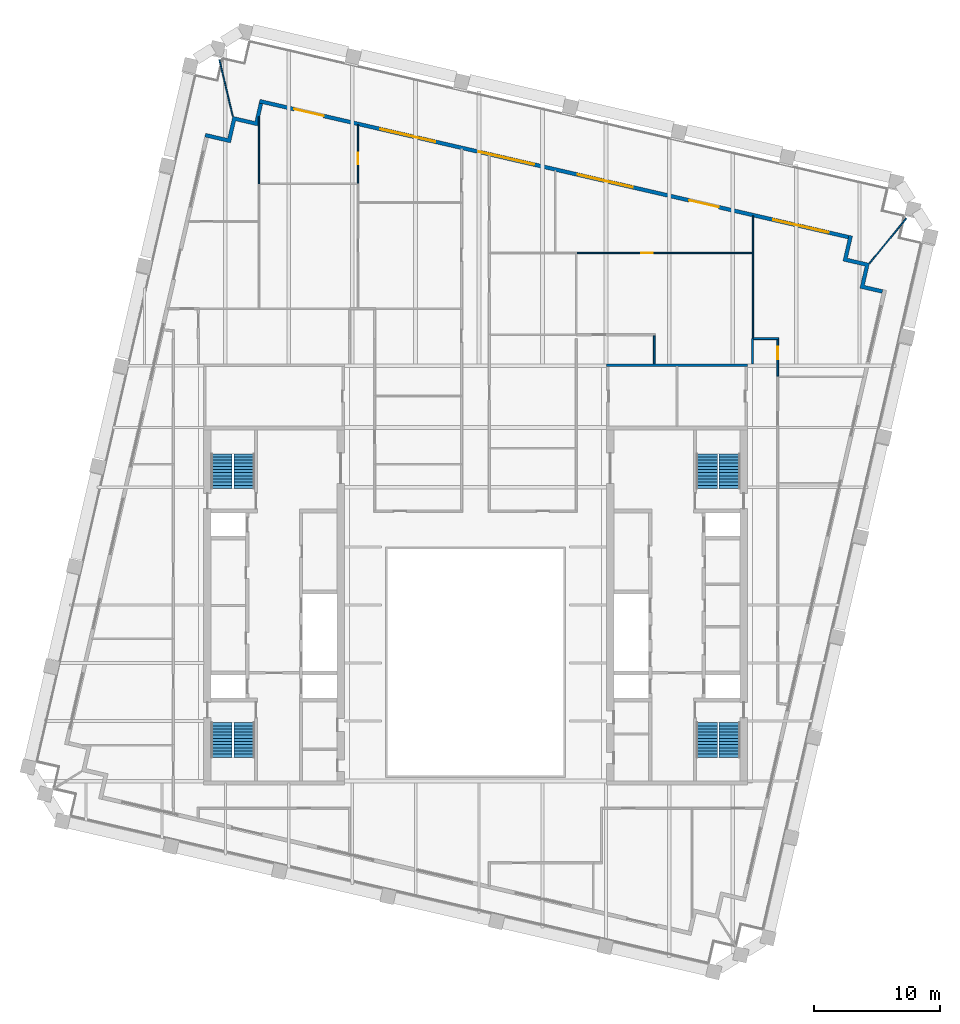
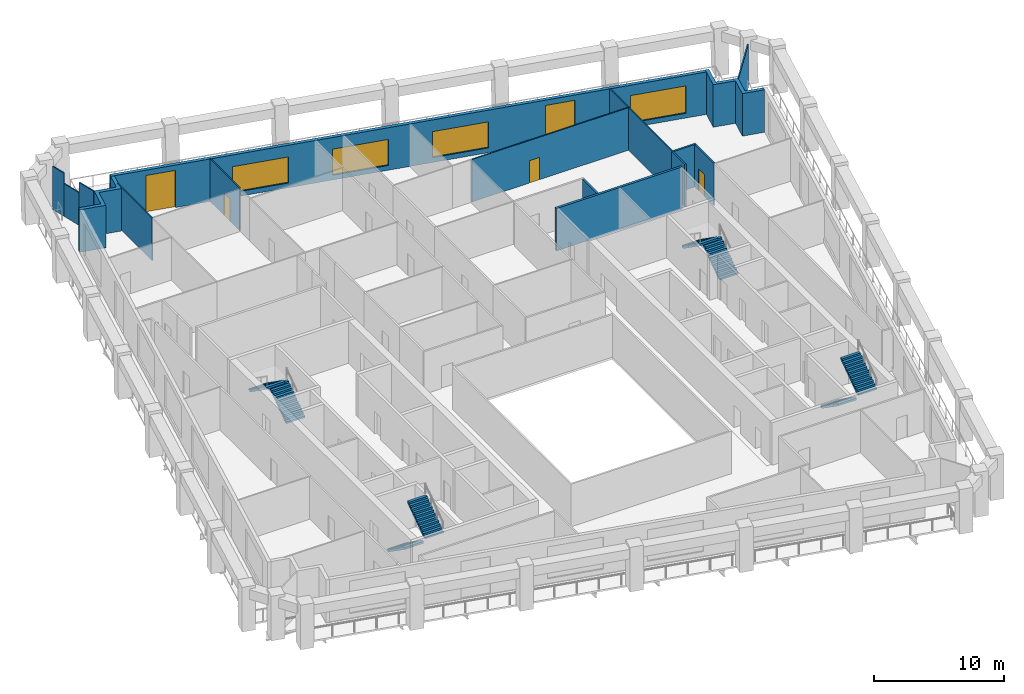
# One storey, part 9 of 10: 17 walls, 8 stair flights, 5 doors, 4 windows, 9 openings, 4 elements without a shape of their own.
"""IFC4 building model written with IfcOpenShell, lengths in metres."""

from ifc_helpers import new_model, si_unit, direction, frame, frame_2d, origin, place, context, subcontext, project, spatial, polyline, rectangle, outline, extrude, material, layer, layer_set, type_object, element, fill, aggregate, save


model = new_model("IFC4")

# Units and contexts
model_context = context("Model", 3, precision=1e-05, world=origin(), true_north=direction((0.0, 1.0)))
body_context = subcontext(model_context, "Body", "Model", "MODEL_VIEW")
ifc_project = project(units=[si_unit("LENGTHUNIT", "METRE"), si_unit("AREAUNIT", "SQUARE_METRE"), si_unit("VOLUMEUNIT", "CUBIC_METRE"), si_unit("PLANEANGLEUNIT", "RADIAN"), si_unit("MASSUNIT", "GRAM", prefix="KILO")], contexts=[model_context])

# Site, building, storey
site_placement = place(None, origin())
site = spatial("IfcSite", under=ifc_project, at=site_placement, CompositionType="ELEMENT")
building_placement = place(site_placement, origin())
building = spatial("IfcBuilding", under=site, at=building_placement, Name="Ogive Exchange Tower", CompositionType="ELEMENT")
storey_placement = place(building_placement, frame((0.0, 0.0, 264.0)))
storey = spatial("IfcBuildingStorey", under=building, at=storey_placement, Name="L57", CompositionType="ELEMENT", Elevation=264.0)

# Walls
ifc_material_1 = material(Name="Fire partition EI 60 150")
ifc_layer_1 = layer(ifc_material_1, 0.14990234375)
ifc_layer_set_1 = layer_set([ifc_layer_1], Name="Fire partition EI 60 150")
wall_type_1 = type_object("IfcWallType", Name="Fire partition EI 60 150", PredefinedType="PARTITIONING", material=ifc_layer_set_1)
wall_1_placement = place(storey_placement, frame((14.18994140625, 32.925048828125, 0.0), z_axis=(0.0, 0.0, 1.0), x_axis=(0.0, -1.0, 0.0)))
element("IfcWall", 1, at=wall_1_placement, inside=storey, type_object=wall_type_1, Name="L57-PWL-064", PredefinedType="PARTITIONING", context=body_context, shape_type="SweptSolid", body=[
    extrude(rectangle(XDim=2.22509765625, YDim=0.14990234375, at=frame_2d((1.112548828125, 0.0))), origin(), (0.0, 0.0, 1.0), 4.0),
])
wall_2_placement = place(storey_placement, frame((22.0, 30.699951171875, 0.0), z_axis=(0.0, 0.0, 1.0), x_axis=(0.0, 1.0, 0.0)))
element("IfcWall", 2, at=wall_2_placement, inside=storey, type_object=wall_type_1, Name="L57-PWL-067", PredefinedType="PARTITIONING", context=body_context, shape_type="SweptSolid", body=[
    extrude(rectangle(XDim=2.0, YDim=0.14990234375, at=frame_2d((1.0, 0.0))), origin(), (0.0, 0.0, 1.0), 4.0),
])
wall_3_placement = place(storey_placement, frame((21.97998046875, 32.699951171875, 0.0), z_axis=(0.0, 0.0, 1.0), x_axis=(1.0, 0.0, 0.0)))
element("IfcWall", 3, at=wall_3_placement, inside=storey, type_object=wall_type_1, Name="L57-PWL-068", PredefinedType="PARTITIONING", context=body_context, shape_type="SweptSolid", body=[
    extrude(rectangle(XDim=2.094970703125, YDim=0.14990234375, at=frame_2d((1.04736328125, 0.0))), origin(), (0.0, 0.0, 1.0), 4.0),
])

# Wall, opening, door
wall_4_placement = place(storey_placement, frame((24.0, 32.625, 0.0), z_axis=(0.0, 0.0, 1.0), x_axis=(0.0, -1.0, 0.0)))
wall_4 = element("IfcWall", 4, at=wall_4_placement, inside=storey, type_object=wall_type_1, Name="L57-PWL-078", PredefinedType="PARTITIONING", context=body_context, shape_type="SweptSolid", body=[
    extrude(rectangle(XDim=2.9150390625, YDim=0.14990234375, at=frame_2d((1.45751953125, 0.0))), origin(), (0.0, 0.0, 1.0), 4.0),
])
opening_1_placement = place(wall_4_placement, frame((0.56494140625, 0.0, 0.0)))
opening_1 = element("IfcOpeningElement", 5, at=opening_1_placement, cuts=wall_4, Name="Opening L57-I24", PredefinedType="OPENING", context=body_context, shape_type="SweptSolid", body=[
    extrude(rectangle(XDim=1.0, YDim=2.10009765625, at=frame_2d((0.5, 1.050048828125))), frame((0.0, 0.0849609375, 0.0), z_axis=(0.0, -1.0, 0.0), x_axis=(1.0, 0.0, 0.0)), (0.0, 0.0, 1.0), 0.169921875),
])
ifc_material_2 = material(Name="Fire door FD 30S 1000 x 2100")
door_type_1 = type_object("IfcDoorType", Name="Fire door FD 30S 1000 x 2100", OperationType="NOTDEFINED", PredefinedType="DOOR", material=ifc_material_2)
door_1_placement = place(opening_1_placement, origin())
door_1 = element("IfcDoor", 6, at=door_1_placement, inside=storey, type_object=door_type_1, Name="L57-IDR-024", ObjectType="DT3", OperationType="SINGLE_SWING_LEFT", OverallHeight=2.10009765625, OverallWidth=1.0, PredefinedType="DOOR", context=body_context, shape_type="SweptSolid", body=[
    extrude(rectangle(XDim=1.0, YDim=2.10009765625, at=frame_2d((0.5, 1.050048828125))), frame((0.0, 0.02490234375, 0.0), z_axis=(0.0, -1.0, 0.0), x_axis=(1.0, 0.0, 0.0)), (0.0, 0.0, 1.0), 0.050048828125),
])
fill(opening_1, door_1)

# Wall, openings, doors, windows
ifc_material_3 = material(Name="Precast concrete C40/50", Category="concrete")
ifc_layer_2 = layer(ifc_material_3, 0.300048828125)
ifc_layer_set_2 = layer_set([ifc_layer_2], Name="Limestone-faced wall 300")
wall_type_2 = type_object("IfcWallType", Name="Limestone-faced wall 300", PredefinedType="STANDARD", material=ifc_layer_set_2)
wall_5_placement = place(storey_placement, frame((29.6162109375, 40.75830078125, 0.0), z_axis=(0.0, 0.0, 1.0), x_axis=(-0.974370532314, 0.224949029246, 0.0)))
wall_5 = element("IfcWall", 7, at=wall_5_placement, inside=storey, type_object=wall_type_2, Name="External wall N3", PredefinedType="STANDARD", context=body_context, shape_type="SweptSolid", body=[
    extrude(rectangle(XDim=48.000244140625, YDim=0.300048828125, at=frame_2d((24.0, 0.0))), origin(), (0.0, 0.0, 1.0), 4.0),
])
opening_2_placement = place(wall_5_placement, frame((1.625, 0.0, 0.449951171875)))
opening_2 = element("IfcOpeningElement", 8, at=opening_2_placement, cuts=wall_5, Name="Opening W1M", PredefinedType="OPENING", context=body_context, shape_type="SweptSolid", body=[
    extrude(rectangle(XDim=4.5, YDim=2.574951171875, at=frame_2d((2.25, 1.28759765625))), frame((0.0, 0.159912109375, 0.0), z_axis=(0.0, -1.0, 0.0), x_axis=(1.0, 0.0, 0.0)), (0.0, 0.0, 1.0), 0.320068359375),
])
opening_3_placement = place(wall_5_placement, frame((10.574951171875, 0.0, 0.0)))
opening_3 = element("IfcOpeningElement", 9, at=opening_3_placement, cuts=wall_5, Name="Opening D1", PredefinedType="OPENING", context=body_context, shape_type="SweptSolid", body=[
    extrude(rectangle(XDim=2.39990234375, YDim=3.5, at=frame_2d((1.199951171875, 1.75))), frame((0.0, 0.159912109375, 0.0), z_axis=(0.0, -1.0, 0.0), x_axis=(1.0, 0.0, 0.0)), (0.0, 0.0, 1.0), 0.320068359375),
])
opening_4_placement = place(wall_5_placement, frame((17.574951171875, 0.0, 0.449951171875)))
opening_4 = element("IfcOpeningElement", 10, at=opening_4_placement, cuts=wall_5, Name="Opening W1Q", PredefinedType="OPENING", context=body_context, shape_type="SweptSolid", body=[
    extrude(rectangle(XDim=4.5, YDim=2.449951171875, at=frame_2d((2.25, 1.22509765625))), frame((0.0, 0.159912109375, 0.0), z_axis=(0.0, -1.0, 0.0), x_axis=(1.0, 0.0, 0.0)), (0.0, 0.0, 1.0), 0.320068359375),
])
opening_5_placement = place(wall_5_placement, frame((25.625, 0.0, 0.449951171875)))
opening_5 = element("IfcOpeningElement", 11, at=opening_5_placement, cuts=wall_5, Name="Opening W1Q", PredefinedType="OPENING", context=body_context, shape_type="SweptSolid", body=[
    extrude(rectangle(XDim=4.5, YDim=2.449951171875, at=frame_2d((2.25, 1.22509765625))), frame((0.0, 0.159912109375, 0.0), z_axis=(0.0, -1.0, 0.0), x_axis=(1.0, 0.0, 0.0)), (0.0, 0.0, 1.0), 0.320068359375),
])
opening_6_placement = place(wall_5_placement, frame((33.675048828125, 0.0, 0.449951171875)))
opening_6 = element("IfcOpeningElement", 12, at=opening_6_placement, cuts=wall_5, Name="Opening W1Q", PredefinedType="OPENING", context=body_context, shape_type="SweptSolid", body=[
    extrude(rectangle(XDim=4.5, YDim=2.449951171875, at=frame_2d((2.25, 1.22509765625))), frame((0.0, 0.159912109375, 0.0), z_axis=(0.0, -1.0, 0.0), x_axis=(1.0, 0.0, 0.0)), (0.0, 0.0, 1.0), 0.320068359375),
])
opening_7_placement = place(wall_5_placement, frame((42.77490234375, 0.0, 0.0)))
opening_7 = element("IfcOpeningElement", 13, at=opening_7_placement, cuts=wall_5, Name="Opening D1", PredefinedType="OPENING", context=body_context, shape_type="SweptSolid", body=[
    extrude(rectangle(XDim=2.39990234375, YDim=3.5, at=frame_2d((1.199951171875, 1.75))), frame((0.0, 0.159912109375, 0.0), z_axis=(0.0, -1.0, 0.0), x_axis=(1.0, 0.0, 0.0)), (0.0, 0.0, 1.0), 0.320068359375),
])
ifc_material_4 = material(Name="Clear glass in bronze frame", Category="glass")
door_type_2 = type_object("IfcDoorType", Name="Sliding loggia door 2400 x 3500", OperationType="DOUBLE_DOOR_SLIDING", PredefinedType="DOOR", material=ifc_material_4)
door_2_placement = place(opening_3_placement, origin())
door_2 = element("IfcDoor", 14, at=door_2_placement, inside=storey, type_object=door_type_2, Name="Loggia door N01", OperationType="DOUBLE_DOOR_SLIDING", OverallHeight=3.5, OverallWidth=2.39990234375, PredefinedType="DOOR", context=body_context, shape_type="SweptSolid", body=[
    extrude(rectangle(XDim=2.39990234375, YDim=3.5, at=frame_2d((1.199951171875, 1.75))), frame((0.0, 0.02490234375, 0.0), z_axis=(0.0, -1.0, 0.0), x_axis=(1.0, 0.0, 0.0)), (0.0, 0.0, 1.0), 0.050048828125),
])
fill(opening_3, door_2)
door_3_placement = place(opening_7_placement, origin())
door_3 = element("IfcDoor", 15, at=door_3_placement, inside=storey, type_object=door_type_2, Name="Loggia door N05", OperationType="DOUBLE_DOOR_SLIDING", OverallHeight=3.5, OverallWidth=2.39990234375, PredefinedType="DOOR", context=body_context, shape_type="SweptSolid", body=[
    extrude(rectangle(XDim=2.39990234375, YDim=3.5, at=frame_2d((1.199951171875, 1.75))), frame((0.0, 0.02490234375, 0.0), z_axis=(0.0, -1.0, 0.0), x_axis=(1.0, 0.0, 0.0)), (0.0, 0.0, 1.0), 0.050048828125),
])
fill(opening_7, door_3)
window_type_1 = type_object("IfcWindowType", Name="Twin lancet window 4500 x 2450", PartitioningType="DOUBLE_PANEL_VERTICAL", PredefinedType="WINDOW", material=ifc_material_4)
window_1_placement = place(opening_4_placement, origin())
window_1 = element("IfcWindow", 16, at=window_1_placement, inside=storey, type_object=window_type_1, Name="Window N02", OverallHeight=2.449951171875, OverallWidth=4.5, PartitioningType="DOUBLE_PANEL_VERTICAL", PredefinedType="WINDOW", context=body_context, shape_type="SweptSolid", body=[
    extrude(rectangle(XDim=4.5, YDim=2.449951171875, at=frame_2d((2.25, 1.22509765625))), frame((0.0, 0.030029296875, 0.0), z_axis=(0.0, -1.0, 0.0), x_axis=(1.0, 0.0, 0.0)), (0.0, 0.0, 1.0), 0.06005859375),
])
fill(opening_4, window_1)
window_2_placement = place(opening_5_placement, origin())
window_2 = element("IfcWindow", 17, at=window_2_placement, inside=storey, type_object=window_type_1, Name="Window N03", OverallHeight=2.449951171875, OverallWidth=4.5, PartitioningType="DOUBLE_PANEL_VERTICAL", PredefinedType="WINDOW", context=body_context, shape_type="SweptSolid", body=[
    extrude(rectangle(XDim=4.5, YDim=2.449951171875, at=frame_2d((2.25, 1.22509765625))), frame((0.0, 0.030029296875, 0.0), z_axis=(0.0, -1.0, 0.0), x_axis=(1.0, 0.0, 0.0)), (0.0, 0.0, 1.0), 0.06005859375),
])
fill(opening_5, window_2)
window_3_placement = place(opening_6_placement, origin())
window_3 = element("IfcWindow", 18, at=window_3_placement, inside=storey, type_object=window_type_1, Name="Window N04", OverallHeight=2.449951171875, OverallWidth=4.5, PartitioningType="DOUBLE_PANEL_VERTICAL", PredefinedType="WINDOW", context=body_context, shape_type="SweptSolid", body=[
    extrude(rectangle(XDim=4.5, YDim=2.449951171875, at=frame_2d((2.25, 1.22509765625))), frame((0.0, 0.030029296875, 0.0), z_axis=(0.0, -1.0, 0.0), x_axis=(1.0, 0.0, 0.0)), (0.0, 0.0, 1.0), 0.06005859375),
])
fill(opening_6, window_3)
window_type_2 = type_object("IfcWindowType", Name="Twin lancet window 4500 x 2575", PartitioningType="DOUBLE_PANEL_VERTICAL", PredefinedType="WINDOW", material=ifc_material_4)
window_4_placement = place(opening_2_placement, origin())
window_4 = element("IfcWindow", 19, at=window_4_placement, inside=storey, type_object=window_type_2, Name="Window N00", OverallHeight=2.574951171875, OverallWidth=4.5, PartitioningType="DOUBLE_PANEL_VERTICAL", PredefinedType="WINDOW", context=body_context, shape_type="SweptSolid", body=[
    extrude(rectangle(XDim=4.5, YDim=2.574951171875, at=frame_2d((2.25, 1.28759765625))), frame((0.0, 0.030029296875, 0.0), z_axis=(0.0, -1.0, 0.0), x_axis=(1.0, 0.0, 0.0)), (0.0, 0.0, 1.0), 0.06005859375),
])
fill(opening_2, window_4)

# Walls
wall_6_placement = place(storey_placement, origin())
element("IfcWall", 20, at=wall_6_placement, inside=storey, type_object=wall_type_2, Name="External corner wall C2", PredefinedType="STANDARD", context=body_context, shape_type="SweptSolid", body=[
    extrude(outline(polyline([(30.931396484375, 38.453369140625), (29.177490234375, 38.8583984375), (29.64990234375, 40.904541015625), (29.942138671875, 40.8369140625), (29.537109375, 39.0830078125), (31.291015625, 38.67822265625), (30.88623046875, 36.92431640625), (32.34765625, 36.5869140625), (32.2802734375, 36.294677734375), (30.5263671875, 36.699462890625), (30.931396484375, 38.453369140625)])), origin(), (0.0, 0.0, 1.0), 4.0),
])
wall_7_placement = place(storey_placement, origin())
element("IfcWall", 21, at=wall_7_placement, inside=storey, type_object=wall_type_2, Name="External corner wall C3", PredefinedType="STANDARD", context=body_context, shape_type="SweptSolid", body=[
    extrude(outline(polyline([(-21.5048828125, 48.7119140625), (-21.4375, 49.004150390625), (-19.68359375, 48.599365234375), (-19.27880859375, 50.353271484375), (-17.52490234375, 49.9482421875), (-17.1875, 51.409912109375), (-16.89501953125, 51.34228515625), (-17.300048828125, 49.58837890625), (-19.053955078125, 49.993408203125), (-19.458740234375, 48.239501953125), (-21.5048828125, 48.7119140625)])), origin(), (0.0, 0.0, 1.0), 4.0),
])
ifc_material_5 = material(Name="Laminated safety glass in steel frame", Category="steel")
ifc_layer_3 = layer(ifc_material_5, 0.10009765625)
ifc_layer_set_3 = layer_set([ifc_layer_3], Name="Loggia end screen 100")
wall_type_3 = type_object("IfcWallType", Name="Loggia end screen 100", PredefinedType="STANDARD", material=ifc_layer_set_3)
wall_8_placement = place(storey_placement, frame((31.291015625, 38.67822265625, -0.050048828125), z_axis=(0.0, 0.0, 1.0), x_axis=(0.633488235222, 0.773752322023, 0.0)))
element("IfcWall", 22, at=wall_8_placement, inside=storey, type_object=wall_type_3, Name="Loggia end screen C2", PredefinedType="STANDARD", context=body_context, shape_type="SweptSolid", body=[
    extrude(rectangle(XDim=4.61767578125, YDim=0.10009765625, at=frame_2d((2.308837890625, 0.0))), origin(), (0.0, 0.0, 1.0), 4.050048828125),
])
wall_9_placement = place(storey_placement, frame((-19.27880859375, 50.353271484375, -0.050048828125), z_axis=(0.0, 0.0, 1.0), x_axis=(-0.230061703828, 0.973176043906, 0.0)))
element("IfcWall", 23, at=wall_9_placement, inside=storey, type_object=wall_type_3, Name="Loggia end screen C3", PredefinedType="STANDARD", context=body_context, shape_type="SweptSolid", body=[
    extrude(rectangle(XDim=1.62353515625, YDim=0.10009765625, at=frame_2d((0.811767578125, 0.0))), origin(), (0.0, 0.0, 1.0), 4.050048828125),
])
wall_10_placement = place(storey_placement, frame((-19.65234375, 51.933349609375, -0.050048828125), z_axis=(0.0, 0.0, 1.0), x_axis=(-0.230237317932, 0.973134511479, 0.0)))
element("IfcWall", 24, at=wall_10_placement, inside=storey, type_object=wall_type_3, Name="Loggia end screen C3", PredefinedType="STANDARD", context=body_context, shape_type="SweptSolid", body=[
    extrude(rectangle(XDim=1.726318359375, YDim=0.10009765625, at=frame_2d((0.86328125, 0.0))), origin(), (0.0, 0.0, 1.0), 3.070068359375),
])
wall_11_placement = place(storey_placement, frame((-20.0498046875, 53.61328125, -0.050048828125), z_axis=(0.0, 0.0, 1.0), x_axis=(-0.230187982616, 0.973146182574, 0.0)))
element("IfcWall", 25, at=wall_11_placement, inside=storey, type_object=wall_type_3, Name="Loggia end screen C3", PredefinedType="STANDARD", context=body_context, shape_type="SweptSolid", body=[
    extrude(rectangle(XDim=1.267333984375, YDim=0.10009765625, at=frame_2d((0.6337890625, 0.0))), origin(), (0.0, 0.0, 1.0), 4.050048828125),
])
ifc_material_6 = material(Name="Partition 100 gypsum")
ifc_layer_4 = layer(ifc_material_6, 0.10009765625)
ifc_layer_set_4 = layer_set([ifc_layer_4], Name="Partition 100 gypsum")
wall_type_4 = type_object("IfcWallType", Name="Partition 100 gypsum", PredefinedType="PARTITIONING", material=ifc_layer_set_4)
wall_12_placement = place(storey_placement, frame((-17.18994140625, 44.949951171875, 0.0), z_axis=(0.0, 0.0, 1.0), x_axis=(0.0, 1.0, 0.0)))
element("IfcWall", 26, at=wall_12_placement, inside=storey, type_object=wall_type_4, Name="L57-PWL-020", PredefinedType="PARTITIONING", context=body_context, shape_type="SweptSolid", body=[
    extrude(rectangle(XDim=5.360107421875, YDim=0.10009765625, at=frame_2d((2.68017578125, 0.0))), origin(), (0.0, 0.0, 1.0), 4.0),
])

# Wall, opening, door
wall_13_placement = place(storey_placement, frame((-9.340087890625, 45.050048828125, 0.0), z_axis=(0.0, 0.0, 1.0), x_axis=(0.0, 1.0, 0.0)))
wall_13 = element("IfcWall", 27, at=wall_13_placement, inside=storey, type_object=wall_type_4, Name="L57-PWL-031", PredefinedType="PARTITIONING", context=body_context, shape_type="SweptSolid", body=[
    extrude(rectangle(XDim=4.630859375, YDim=0.10009765625, at=frame_2d((2.3154296875, 0.0))), origin(), (0.0, 0.0, 1.0), 4.0),
])
opening_8_placement = place(wall_13_placement, frame((1.5, 0.0, 0.0)))
opening_8 = element("IfcOpeningElement", 28, at=opening_8_placement, cuts=wall_13, Name="Opening L57-I10", PredefinedType="OPENING", context=body_context, shape_type="SweptSolid", body=[
    extrude(rectangle(XDim=0.89990234375, YDim=2.10009765625, at=frame_2d((0.449951171875, 1.050048828125))), frame((0.0, 0.06005859375, 0.0), z_axis=(0.0, -1.0, 0.0), x_axis=(1.0, 0.0, 0.0)), (0.0, 0.0, 1.0), 0.1201171875),
])
ifc_material_7 = material(Name="Door 900 x 2100")
door_type_3 = type_object("IfcDoorType", Name="Door 900 x 2100", OperationType="NOTDEFINED", PredefinedType="DOOR", material=ifc_material_7)
door_4_placement = place(opening_8_placement, frame((0.89990234375, 0.0, 0.0), z_axis=(0.0, 0.0, 1.0), x_axis=(-1.0, 0.0, 0.0)))
door_4 = element("IfcDoor", 29, at=door_4_placement, inside=storey, type_object=door_type_3, Name="L57-IDR-010", ObjectType="DT1", OperationType="SINGLE_SWING_RIGHT", OverallHeight=2.10009765625, OverallWidth=0.89990234375, PredefinedType="DOOR", context=body_context, shape_type="SweptSolid", body=[
    extrude(rectangle(XDim=0.89990234375, YDim=2.10009765625, at=frame_2d((0.449951171875, 1.050048828125))), frame((0.0, 0.02490234375, 0.0), z_axis=(0.0, -1.0, 0.0), x_axis=(1.0, 0.0, 0.0)), (0.0, 0.0, 1.0), 0.050048828125),
])
fill(opening_8, door_4)

wall_14_placement = place(storey_placement, frame((22.080078125, 39.5, 0.0), z_axis=(0.0, 0.0, 1.0), x_axis=(-1.0, 0.0, 0.0)))
wall_14 = element("IfcWall", 30, at=wall_14_placement, inside=storey, type_object=wall_type_4, Name="L57-PWL-069", PredefinedType="PARTITIONING", context=body_context, shape_type="SweptSolid", body=[
    extrude(rectangle(XDim=14.030029296875, YDim=0.10009765625, at=frame_2d((7.01513671875, 0.0))), origin(), (0.0, 0.0, 1.0), 4.0),
])
opening_9_placement = place(wall_14_placement, frame((8.0, 0.0, 0.0)))
opening_9 = element("IfcOpeningElement", 31, at=opening_9_placement, cuts=wall_14, Name="Opening L57-I16", PredefinedType="OPENING", context=body_context, shape_type="SweptSolid", body=[
    extrude(rectangle(XDim=0.89990234375, YDim=2.10009765625, at=frame_2d((0.449951171875, 1.050048828125))), frame((0.0, 0.06005859375, 0.0), z_axis=(0.0, -1.0, 0.0), x_axis=(1.0, 0.0, 0.0)), (0.0, 0.0, 1.0), 0.1201171875),
])
door_5_placement = place(opening_9_placement, frame((0.89990234375, 0.0, 0.0), z_axis=(0.0, 0.0, 1.0), x_axis=(-1.0, 0.0, 0.0)))
door_5 = element("IfcDoor", 32, at=door_5_placement, inside=storey, type_object=door_type_3, Name="L57-IDR-016", ObjectType="DT1", OperationType="SINGLE_SWING_LEFT", OverallHeight=2.10009765625, OverallWidth=0.89990234375, PredefinedType="DOOR", context=body_context, shape_type="SweptSolid", body=[
    extrude(rectangle(XDim=0.89990234375, YDim=2.10009765625, at=frame_2d((0.449951171875, 1.050048828125))), frame((0.0, 0.02490234375, 0.0), z_axis=(0.0, -1.0, 0.0), x_axis=(1.0, 0.0, 0.0)), (0.0, 0.0, 1.0), 0.050048828125),
])
fill(opening_9, door_5)

# Walls
wall_15_placement = place(storey_placement, frame((22.030029296875, 39.449951171875, 0.0), z_axis=(0.0, 0.0, 1.0), x_axis=(0.0, -1.0, 0.0)))
element("IfcWall", 33, at=wall_15_placement, inside=storey, type_object=wall_type_4, Name="L57-PWL-070", PredefinedType="PARTITIONING", context=body_context, shape_type="SweptSolid", body=[
    extrude(rectangle(XDim=6.675048828125, YDim=0.10009765625, at=frame_2d((3.33740234375, 0.0))), origin(), (0.0, 0.0, 1.0), 4.0),
])
wall_16_placement = place(storey_placement, frame((22.030029296875, 42.43798828125, 0.0), z_axis=(0.0, 0.0, 1.0), x_axis=(0.0, -1.0, 0.0)))
element("IfcWall", 34, at=wall_16_placement, inside=storey, type_object=wall_type_4, Name="L57-PWL-071", PredefinedType="PARTITIONING", context=body_context, shape_type="SweptSolid", body=[
    extrude(rectangle(XDim=2.887939453125, YDim=0.10009765625, at=frame_2d((1.44384765625, 0.0))), origin(), (0.0, 0.0, 1.0), 4.0),
])
ifc_material_8 = material(Name="Concrete C70/85", Category="concrete")
ifc_layer_5 = layer(ifc_material_8, 0.199951171875)
ifc_layer_set_5 = layer_set([ifc_layer_5], Name="RC core wall 200 C70/85")
wall_type_5 = type_object("IfcWallType", Name="RC core wall 200 C70/85", PredefinedType="SHEAR", material=ifc_layer_set_5)
wall_17_placement = place(storey_placement, frame((10.39990234375, 30.60009765625, 0.0), z_axis=(0.0, 0.0, 1.0), x_axis=(1.0, 0.0, 0.0)))
element("IfcWall", 35, at=wall_17_placement, inside=storey, type_object=wall_type_5, Name="E annex N end wall", PredefinedType="SHEAR", context=body_context, shape_type="SweptSolid", body=[
    extrude(rectangle(XDim=11.2001953125, YDim=0.199951171875, at=frame_2d((5.60009765625, 0.0))), origin(), (0.0, 0.0, 1.0), 4.0),
])

# Stair, stair flights
ifc_material_9 = material(Name="Concrete C40/50", Category="concrete")
stair_type = type_object("IfcStairType", Name="Exit stair 1650 wide", PredefinedType="HALF_TURN_STAIR", material=ifc_material_9)
stair_1_placement = place(storey_placement, origin())
stair_1 = element("IfcStair", 36, at=stair_1_placement, inside=storey, type_object=stair_type, Name="L57 exit stair ST1", PredefinedType="HALF_TURN_STAIR")
stair_flight_type = type_object("IfcStairFlightType", Name="Stair flight 1650 wide", PredefinedType="STRAIGHT", material=ifc_material_9)
stair_flight_1_placement = place(storey_placement, frame((-20.175048828125, 2.199951171875, 0.0), z_axis=(0.0, 0.0, 1.0), x_axis=(0.0, -1.0, 0.0)))
stair_flight_1 = element("IfcStairFlight", 37, at=stair_flight_1_placement, type_object=stair_flight_type, Name="ST1 flight 1", NumberOfRisers=12, NumberOfTreads=11, PredefinedType="STRAIGHT", RiserHeight=0.175, TreadLength=0.25, context=body_context, shape_type="SweptSolid", body=[
    extrude(outline(polyline([(0.0, 0.0), (0.0, 0.175048828125), (0.25, 0.175048828125), (0.25, 0.35009765625), (0.5, 0.35009765625), (0.5, 0.52490234375), (0.75, 0.52490234375), (0.75, 0.699951171875), (1.0, 0.699951171875), (1.0, 0.875), (1.25, 0.875), (1.25, 1.050048828125), (1.5, 1.050048828125), (1.5, 1.22509765625), (1.75, 1.22509765625), (1.75, 1.39990234375), (2.0, 1.39990234375), (2.0, 1.574951171875), (2.25, 1.574951171875), (2.25, 1.75), (2.5, 1.75), (2.5, 1.925048828125), (2.75, 1.925048828125), (2.75, 2.10009765625), (2.75, 1.741943359375), (0.261474609375, 0.0), (0.0, 0.0)])), frame((0.0, 0.824951171875, 0.0), z_axis=(0.0, -1.0, 0.0), x_axis=(1.0, 0.0, 0.0)), (0.0, 0.0, 1.0), 1.64990234375),
])
stair_flight_2_placement = place(storey_placement, frame((-18.375, -0.550048828125, 2.10009765625), z_axis=(0.0, 0.0, 1.0), x_axis=(0.0, 1.0, 0.0)))
stair_flight_2 = element("IfcStairFlight", 38, at=stair_flight_2_placement, type_object=stair_flight_type, Name="ST1 flight 2", NumberOfRisers=12, NumberOfTreads=11, PredefinedType="STRAIGHT", RiserHeight=0.175, TreadLength=0.25, context=body_context, shape_type="SweptSolid", body=[
    extrude(outline(polyline([(0.0, 0.0), (0.0, 0.175048828125), (0.25, 0.175048828125), (0.25, 0.35009765625), (0.5, 0.35009765625), (0.5, 0.52490234375), (0.75, 0.52490234375), (0.75, 0.699951171875), (1.0, 0.699951171875), (1.0, 0.875), (1.25, 0.875), (1.25, 1.050048828125), (1.5, 1.050048828125), (1.5, 1.22509765625), (1.75, 1.22509765625), (1.75, 1.39990234375), (2.0, 1.39990234375), (2.0, 1.574951171875), (2.25, 1.574951171875), (2.25, 1.75), (2.5, 1.75), (2.5, 1.925048828125), (2.75, 1.925048828125), (2.75, 2.10009765625), (2.75, 1.741943359375), (0.261474609375, 0.0), (0.0, 0.0)])), frame((0.0, 0.824951171875, 0.0), z_axis=(0.0, -1.0, 0.0), x_axis=(1.0, 0.0, 0.0)), (0.0, 0.0, 1.0), 1.64990234375),
])
aggregate(stair_1, [stair_flight_1, stair_flight_2])

stair_2_placement = place(storey_placement, origin())
stair_2 = element("IfcStair", 39, at=stair_2_placement, inside=storey, type_object=stair_type, Name="L57 exit stair ST2", PredefinedType="HALF_TURN_STAIR")
stair_flight_3_placement = place(storey_placement, frame((-18.375, 20.800048828125, 0.0), z_axis=(0.0, 0.0, 1.0), x_axis=(0.0, 1.0, 0.0)))
stair_flight_3 = element("IfcStairFlight", 40, at=stair_flight_3_placement, type_object=stair_flight_type, Name="ST2 flight 1", NumberOfRisers=12, NumberOfTreads=11, PredefinedType="STRAIGHT", RiserHeight=0.175, TreadLength=0.25, context=body_context, shape_type="SweptSolid", body=[
    extrude(outline(polyline([(0.0, 0.0), (0.0, 0.175048828125), (0.25, 0.175048828125), (0.25, 0.35009765625), (0.5, 0.35009765625), (0.5, 0.52490234375), (0.75, 0.52490234375), (0.75, 0.699951171875), (1.0, 0.699951171875), (1.0, 0.875), (1.25, 0.875), (1.25, 1.050048828125), (1.5, 1.050048828125), (1.5, 1.22509765625), (1.75, 1.22509765625), (1.75, 1.39990234375), (2.0, 1.39990234375), (2.0, 1.574951171875), (2.25, 1.574951171875), (2.25, 1.75), (2.5, 1.75), (2.5, 1.925048828125), (2.75, 1.925048828125), (2.75, 2.10009765625), (2.75, 1.741943359375), (0.261474609375, 0.0), (0.0, 0.0)])), frame((0.0, 0.824951171875, 0.0), z_axis=(0.0, -1.0, 0.0), x_axis=(1.0, 0.0, 0.0)), (0.0, 0.0, 1.0), 1.64990234375),
])
stair_flight_4_placement = place(storey_placement, frame((-20.175048828125, 23.550048828125, 2.10009765625), z_axis=(0.0, 0.0, 1.0), x_axis=(0.0, -1.0, 0.0)))
stair_flight_4 = element("IfcStairFlight", 41, at=stair_flight_4_placement, type_object=stair_flight_type, Name="ST2 flight 2", NumberOfRisers=12, NumberOfTreads=11, PredefinedType="STRAIGHT", RiserHeight=0.175, TreadLength=0.25, context=body_context, shape_type="SweptSolid", body=[
    extrude(outline(polyline([(0.0, 0.0), (0.0, 0.175048828125), (0.25, 0.175048828125), (0.25, 0.35009765625), (0.5, 0.35009765625), (0.5, 0.52490234375), (0.75, 0.52490234375), (0.75, 0.699951171875), (1.0, 0.699951171875), (1.0, 0.875), (1.25, 0.875), (1.25, 1.050048828125), (1.5, 1.050048828125), (1.5, 1.22509765625), (1.75, 1.22509765625), (1.75, 1.39990234375), (2.0, 1.39990234375), (2.0, 1.574951171875), (2.25, 1.574951171875), (2.25, 1.75), (2.5, 1.75), (2.5, 1.925048828125), (2.75, 1.925048828125), (2.75, 2.10009765625), (2.75, 1.741943359375), (0.261474609375, 0.0), (0.0, 0.0)])), frame((0.0, 0.824951171875, 0.0), z_axis=(0.0, -1.0, 0.0), x_axis=(1.0, 0.0, 0.0)), (0.0, 0.0, 1.0), 1.64990234375),
])
aggregate(stair_2, [stair_flight_3, stair_flight_4])

stair_3_placement = place(storey_placement, origin())
stair_3 = element("IfcStair", 42, at=stair_3_placement, inside=storey, type_object=stair_type, Name="L57 exit stair ST3", PredefinedType="HALF_TURN_STAIR")
stair_flight_5_placement = place(storey_placement, frame((18.375, 2.199951171875, 0.0), z_axis=(0.0, 0.0, 1.0), x_axis=(0.0, -1.0, 0.0)))
stair_flight_5 = element("IfcStairFlight", 43, at=stair_flight_5_placement, type_object=stair_flight_type, Name="ST3 flight 1", NumberOfRisers=12, NumberOfTreads=11, PredefinedType="STRAIGHT", RiserHeight=0.175, TreadLength=0.25, context=body_context, shape_type="SweptSolid", body=[
    extrude(outline(polyline([(0.0, 0.0), (0.0, 0.175048828125), (0.25, 0.175048828125), (0.25, 0.35009765625), (0.5, 0.35009765625), (0.5, 0.52490234375), (0.75, 0.52490234375), (0.75, 0.699951171875), (1.0, 0.699951171875), (1.0, 0.875), (1.25, 0.875), (1.25, 1.050048828125), (1.5, 1.050048828125), (1.5, 1.22509765625), (1.75, 1.22509765625), (1.75, 1.39990234375), (2.0, 1.39990234375), (2.0, 1.574951171875), (2.25, 1.574951171875), (2.25, 1.75), (2.5, 1.75), (2.5, 1.925048828125), (2.75, 1.925048828125), (2.75, 2.10009765625), (2.75, 1.741943359375), (0.261474609375, 0.0), (0.0, 0.0)])), frame((0.0, 0.824951171875, 0.0), z_axis=(0.0, -1.0, 0.0), x_axis=(1.0, 0.0, 0.0)), (0.0, 0.0, 1.0), 1.64990234375),
])
stair_flight_6_placement = place(storey_placement, frame((20.175048828125, -0.550048828125, 2.10009765625), z_axis=(0.0, 0.0, 1.0), x_axis=(0.0, 1.0, 0.0)))
stair_flight_6 = element("IfcStairFlight", 44, at=stair_flight_6_placement, type_object=stair_flight_type, Name="ST3 flight 2", NumberOfRisers=12, NumberOfTreads=11, PredefinedType="STRAIGHT", RiserHeight=0.175, TreadLength=0.25, context=body_context, shape_type="SweptSolid", body=[
    extrude(outline(polyline([(0.0, 0.0), (0.0, 0.175048828125), (0.25, 0.175048828125), (0.25, 0.35009765625), (0.5, 0.35009765625), (0.5, 0.52490234375), (0.75, 0.52490234375), (0.75, 0.699951171875), (1.0, 0.699951171875), (1.0, 0.875), (1.25, 0.875), (1.25, 1.050048828125), (1.5, 1.050048828125), (1.5, 1.22509765625), (1.75, 1.22509765625), (1.75, 1.39990234375), (2.0, 1.39990234375), (2.0, 1.574951171875), (2.25, 1.574951171875), (2.25, 1.75), (2.5, 1.75), (2.5, 1.925048828125), (2.75, 1.925048828125), (2.75, 2.10009765625), (2.75, 1.741943359375), (0.261474609375, 0.0), (0.0, 0.0)])), frame((0.0, 0.824951171875, 0.0), z_axis=(0.0, -1.0, 0.0), x_axis=(1.0, 0.0, 0.0)), (0.0, 0.0, 1.0), 1.64990234375),
])
aggregate(stair_3, [stair_flight_5, stair_flight_6])

stair_4_placement = place(storey_placement, origin())
stair_4 = element("IfcStair", 45, at=stair_4_placement, inside=storey, type_object=stair_type, Name="L57 exit stair ST4", PredefinedType="HALF_TURN_STAIR")
stair_flight_7_placement = place(storey_placement, frame((20.175048828125, 20.800048828125, 0.0), z_axis=(0.0, 0.0, 1.0), x_axis=(0.0, 1.0, 0.0)))
stair_flight_7 = element("IfcStairFlight", 46, at=stair_flight_7_placement, type_object=stair_flight_type, Name="ST4 flight 1", NumberOfRisers=12, NumberOfTreads=11, PredefinedType="STRAIGHT", RiserHeight=0.175, TreadLength=0.25, context=body_context, shape_type="SweptSolid", body=[
    extrude(outline(polyline([(0.0, 0.0), (0.0, 0.175048828125), (0.25, 0.175048828125), (0.25, 0.35009765625), (0.5, 0.35009765625), (0.5, 0.52490234375), (0.75, 0.52490234375), (0.75, 0.699951171875), (1.0, 0.699951171875), (1.0, 0.875), (1.25, 0.875), (1.25, 1.050048828125), (1.5, 1.050048828125), (1.5, 1.22509765625), (1.75, 1.22509765625), (1.75, 1.39990234375), (2.0, 1.39990234375), (2.0, 1.574951171875), (2.25, 1.574951171875), (2.25, 1.75), (2.5, 1.75), (2.5, 1.925048828125), (2.75, 1.925048828125), (2.75, 2.10009765625), (2.75, 1.741943359375), (0.261474609375, 0.0), (0.0, 0.0)])), frame((0.0, 0.824951171875, 0.0), z_axis=(0.0, -1.0, 0.0), x_axis=(1.0, 0.0, 0.0)), (0.0, 0.0, 1.0), 1.64990234375),
])
stair_flight_8_placement = place(storey_placement, frame((18.375, 23.550048828125, 2.10009765625), z_axis=(0.0, 0.0, 1.0), x_axis=(0.0, -1.0, 0.0)))
stair_flight_8 = element("IfcStairFlight", 47, at=stair_flight_8_placement, type_object=stair_flight_type, Name="ST4 flight 2", NumberOfRisers=12, NumberOfTreads=11, PredefinedType="STRAIGHT", RiserHeight=0.175, TreadLength=0.25, context=body_context, shape_type="SweptSolid", body=[
    extrude(outline(polyline([(0.0, 0.0), (0.0, 0.175048828125), (0.25, 0.175048828125), (0.25, 0.35009765625), (0.5, 0.35009765625), (0.5, 0.52490234375), (0.75, 0.52490234375), (0.75, 0.699951171875), (1.0, 0.699951171875), (1.0, 0.875), (1.25, 0.875), (1.25, 1.050048828125), (1.5, 1.050048828125), (1.5, 1.22509765625), (1.75, 1.22509765625), (1.75, 1.39990234375), (2.0, 1.39990234375), (2.0, 1.574951171875), (2.25, 1.574951171875), (2.25, 1.75), (2.5, 1.75), (2.5, 1.925048828125), (2.75, 1.925048828125), (2.75, 2.10009765625), (2.75, 1.741943359375), (0.261474609375, 0.0), (0.0, 0.0)])), frame((0.0, 0.824951171875, 0.0), z_axis=(0.0, -1.0, 0.0), x_axis=(1.0, 0.0, 0.0)), (0.0, 0.0, 1.0), 1.64990234375),
])
aggregate(stair_4, [stair_flight_7, stair_flight_8])

save(model, "model.ifc")
